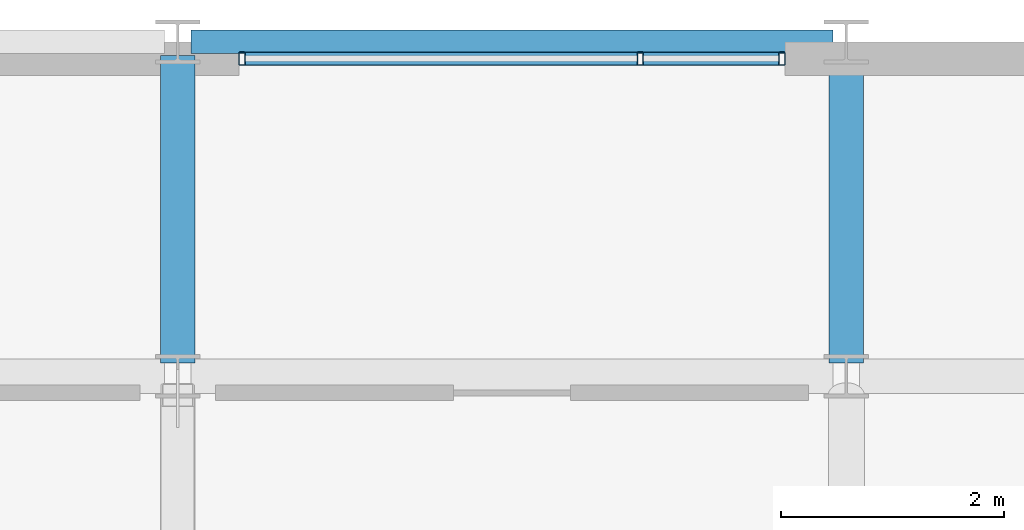
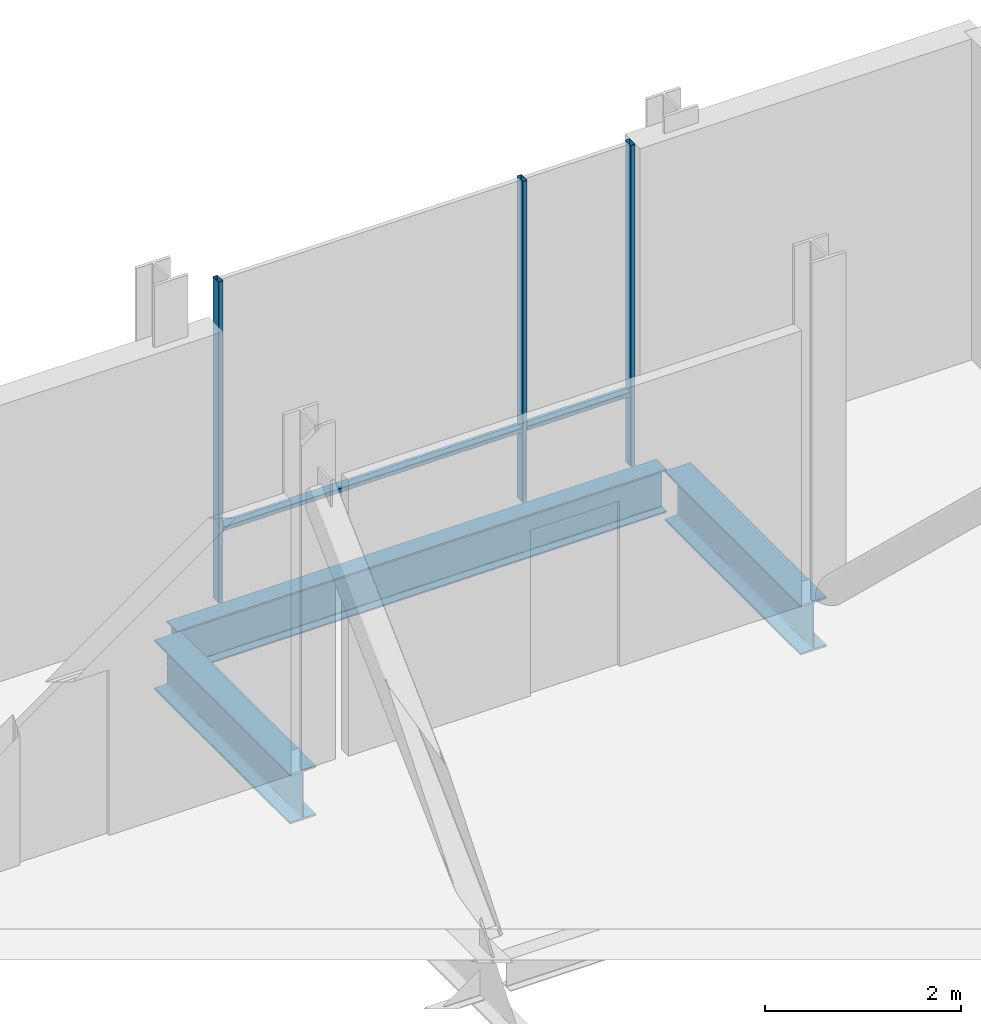
# One storey, part 23 of 33: 5 members, 3 beams, 1 element without a shape of its own.
"""IFC4 building model written with IfcOpenShell, lengths in metres."""

from ifc_helpers import new_model, si_unit, direction, frame, origin, origin_2d, place, context, subcontext, project, spatial, hollow_rectangle, i_section, extrude, material, layer, layer_set, material_profile, profile_set, type_object, element, aggregate, save


model = new_model("IFC4")

# Units and contexts
model_context = context("Model", 3, precision=1e-05, world=origin(), true_north=direction((0.0, 1.0)))
body_context = subcontext(model_context, "Body", "Model", "MODEL_VIEW")
ifc_project = project(units=[si_unit("LENGTHUNIT", "METRE"), si_unit("AREAUNIT", "SQUARE_METRE"), si_unit("VOLUMEUNIT", "CUBIC_METRE"), si_unit("PLANEANGLEUNIT", "RADIAN"), si_unit("MASSUNIT", "GRAM", prefix="KILO")], contexts=[model_context])

# Site, building, storey
site_placement = place(None, origin())
site = spatial("IfcSite", under=ifc_project, at=site_placement, CompositionType="ELEMENT")
building_placement = place(site_placement, origin())
building = spatial("IfcBuilding", under=site, at=building_placement, Name="Brevholm Reach", CompositionType="ELEMENT")
storey_placement = place(building_placement, frame((0.0, 0.0, 179.0)))
storey = spatial("IfcBuildingStorey", under=building, at=storey_placement, Name="L54", CompositionType="ELEMENT", Elevation=179.0)

# Beams
ifc_material_1 = material(Name="Structural Steel S355J2", Category="steel")
ifc_material_profile_1 = material_profile(ifc_material_1, i_section(OverallWidth=0.210693359375, OverallDepth=0.53955078125, WebThickness=0.01171875, FlangeThickness=0.018798828125, FilletRadius=0.0126953125, at=origin_2d()), Name="UKB 533x210x109")
ifc_profile_set_1 = profile_set([ifc_material_profile_1], Name="Structural Steel S355J2")
beam_type_1 = type_object("IfcBeamType", Name="BM-SP539", PredefinedType="SPANDREL", material=ifc_profile_set_1)
beam_placement = place(storey_placement, frame((48.1201171875, 26.5, -0.52978515625), z_axis=(1.0, 0.0, 0.0), x_axis=(0.0, 1.0, 0.0)))
element("IfcBeam", 1, at=beam_placement, inside=storey, type_object=beam_type_1, Name="L54 SP-01B Framing Beam", PredefinedType="SPANDREL", context=body_context, shape_type="SweptSolid", body=[
    extrude(i_section(OverallWidth=0.210693359375, OverallDepth=0.53955078125, WebThickness=0.01171875, FlangeThickness=0.018798828125, FilletRadius=0.0126953125, at=origin_2d()), origin(), (0.0, 0.0, 1.0), 5.759765625),
])
ifc_material_2 = material(Name="Structural Steel S355J2", Category="steel")
ifc_material_profile_2 = material_profile(ifc_material_2, i_section(OverallWidth=0.30712890625, OverallDepth=0.6201171875, WebThickness=0.01416015625, FlangeThickness=0.023681640625, FilletRadius=0.0166015625, at=origin_2d()), Name="UKB 610x305x179")
ifc_profile_set_2 = profile_set([ifc_material_profile_2], Name="Structural Steel S355J2")
beam_type_2 = type_object("IfcBeamType", Name="BM-UKB610H", PredefinedType="USERDEFINED", material=ifc_profile_set_2)
for number, where, z_axis, x_axis, name in (
    (2, (48.0, 23.6201171875, -0.570068359375), (0.0, 1.0, 0.0), (-1.0, 0.0, 0.0), "L54 G-06 Framing Beam"),
    (3, (54.0, 23.6201171875, -0.570068359375), (0.0, 1.0, 0.0), (-1.0, 0.0, 0.0), "L54 G-06 Framing Beam"),
):
    element("IfcBeam", number, at=place(storey_placement, frame(where, z_axis=z_axis, x_axis=x_axis)), inside=storey, type_object=beam_type_2, Name=name, ObjectType="GIRDER", PredefinedType="USERDEFINED", context=body_context, shape_type="SweptSolid", body=[
        extrude(i_section(OverallWidth=0.30712890625, OverallDepth=0.6201171875, WebThickness=0.01416015625, FlangeThickness=0.023681640625, FilletRadius=0.0166015625, at=origin_2d()), origin(), (0.0, 0.0, 1.0), 2.759765625),
    ])

# Curtain wall, members
ifc_material_3 = material(Name="Dark Anodised Aluminium 6063-T6 and Solar-Control Glass", Category="aluminium")
ifc_layer = layer(ifc_material_3, 0.1201171875)
ifc_layer_set = layer_set([ifc_layer], Name="Dark Anodised Aluminium 6063-T6 and Solar-Control Glass")
curtain_wall_type = type_object("IfcCurtainWallType", Name="CW-06", PredefinedType="NOTDEFINED", material=ifc_layer_set)
curtain_wall_placement = place(storey_placement, origin())
curtain_wall = element("IfcCurtainWall", 4, at=curtain_wall_placement, inside=storey, type_object=curtain_wall_type, Name="L54 Curtain Wall CW-06", PredefinedType="NOTDEFINED")
ifc_material_4 = material(Name="Dark Anodised Aluminium 6063-T6", Category="aluminium")
ifc_material_profile_3 = material_profile(ifc_material_4, hollow_rectangle(XDim=0.054931640625, YDim=0.1201171875, WallThickness=0.00390625, InnerFilletRadius=0.00390625, OuterFilletRadius=0.008056640625, at=origin_2d()), Name="RHS 120x55x4")
ifc_profile_set_3 = profile_set([ifc_material_profile_3], Name="Dark Anodised Aluminium 6063-T6")
member_type_1 = type_object("IfcMemberType", Name="CWM-120", PredefinedType="MULLION", material=ifc_profile_set_3)
member_1_placement = place(storey_placement, frame((48.577392578125, 26.35009765625, 0.0), z_axis=(0.0, 0.0, 1.0), x_axis=(1.0, 0.0, 0.0)))
member_1 = element("IfcMember", 5, at=member_1_placement, type_object=member_type_1, Name="CM-120 Mullion 1", PredefinedType="MULLION", context=body_context, shape_type="SweptSolid", body=[
    extrude(hollow_rectangle(XDim=0.054931640625, YDim=0.1201171875, WallThickness=0.00390625, InnerFilletRadius=0.00390625, OuterFilletRadius=0.008056640625, at=origin_2d()), origin(), (0.0, 0.0, 1.0), 3.989990234375),
])
member_2_placement = place(storey_placement, frame((52.14990234375, 26.35009765625, 0.0), z_axis=(0.0, 0.0, 1.0), x_axis=(1.0, 0.0, 0.0)))
member_2 = element("IfcMember", 6, at=member_2_placement, type_object=member_type_1, Name="CM-120 Mullion 2", PredefinedType="MULLION", context=body_context, shape_type="SweptSolid", body=[
    extrude(hollow_rectangle(XDim=0.054931640625, YDim=0.1201171875, WallThickness=0.00390625, InnerFilletRadius=0.00390625, OuterFilletRadius=0.008056640625, at=origin_2d()), origin(), (0.0, 0.0, 1.0), 3.989990234375),
])
member_3_placement = place(storey_placement, frame((53.422607421875, 26.35009765625, 0.0), z_axis=(0.0, 0.0, 1.0), x_axis=(1.0, 0.0, 0.0)))
member_3 = element("IfcMember", 7, at=member_3_placement, type_object=member_type_1, Name="CM-120 Mullion 3", PredefinedType="MULLION", context=body_context, shape_type="SweptSolid", body=[
    extrude(hollow_rectangle(XDim=0.054931640625, YDim=0.1201171875, WallThickness=0.00390625, InnerFilletRadius=0.00390625, OuterFilletRadius=0.008056640625, at=origin_2d()), origin(), (0.0, 0.0, 1.0), 3.989990234375),
])
ifc_material_5 = material(Name="Dark Anodised Aluminium 6063-T6", Category="aluminium")
ifc_material_profile_4 = material_profile(ifc_material_5, hollow_rectangle(XDim=0.054931640625, YDim=0.1201171875, WallThickness=0.00390625, InnerFilletRadius=0.00390625, OuterFilletRadius=0.008056640625, at=origin_2d()), Name="RHS 120x55x4")
ifc_profile_set_4 = profile_set([ifc_material_profile_4], Name="Dark Anodised Aluminium 6063-T6")
member_type_2 = type_object("IfcMemberType", Name="CWT-120", PredefinedType="NOTDEFINED", material=ifc_profile_set_4)
member_4_placement = place(storey_placement, frame((48.60498046875, 26.35009765625, 0.89990234375), z_axis=(1.0, 0.0, 0.0), x_axis=(0.0, 0.0, 1.0)))
member_4 = element("IfcMember", 8, at=member_4_placement, type_object=member_type_2, Name="CT-120 Transom 1.1", ObjectType="TRANSOM", PredefinedType="USERDEFINED", context=body_context, shape_type="SweptSolid", body=[
    extrude(hollow_rectangle(XDim=0.054931640625, YDim=0.1201171875, WallThickness=0.00390625, InnerFilletRadius=0.00390625, OuterFilletRadius=0.008056640625, at=origin_2d()), origin(), (0.0, 0.0, 1.0), 3.517578125),
])
member_5_placement = place(storey_placement, frame((52.177490234375, 26.35009765625, 0.89990234375), z_axis=(1.0, 0.0, 0.0), x_axis=(0.0, 0.0, 1.0)))
member_5 = element("IfcMember", 9, at=member_5_placement, type_object=member_type_2, Name="CT-120 Transom 2.1", ObjectType="TRANSOM", PredefinedType="USERDEFINED", context=body_context, shape_type="SweptSolid", body=[
    extrude(hollow_rectangle(XDim=0.054931640625, YDim=0.1201171875, WallThickness=0.00390625, InnerFilletRadius=0.00390625, OuterFilletRadius=0.008056640625, at=origin_2d()), origin(), (0.0, 0.0, 1.0), 1.217529296875),
])
aggregate(curtain_wall, [member_1, member_2, member_3, member_4, member_5])

save(model, "model.ifc")
